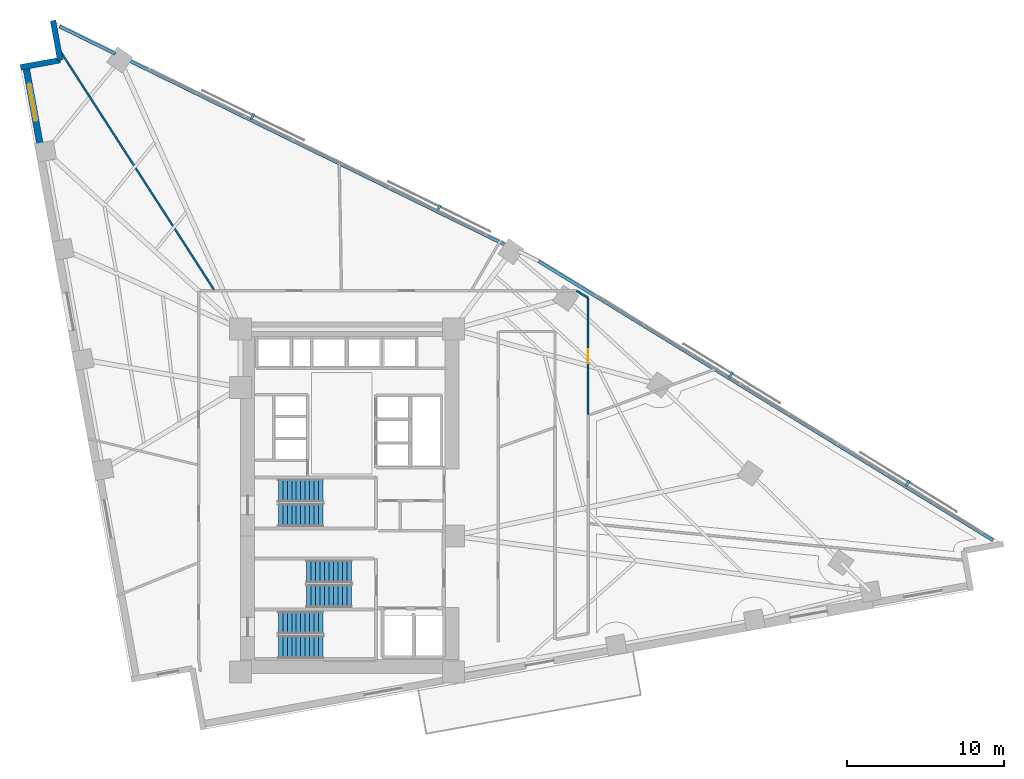
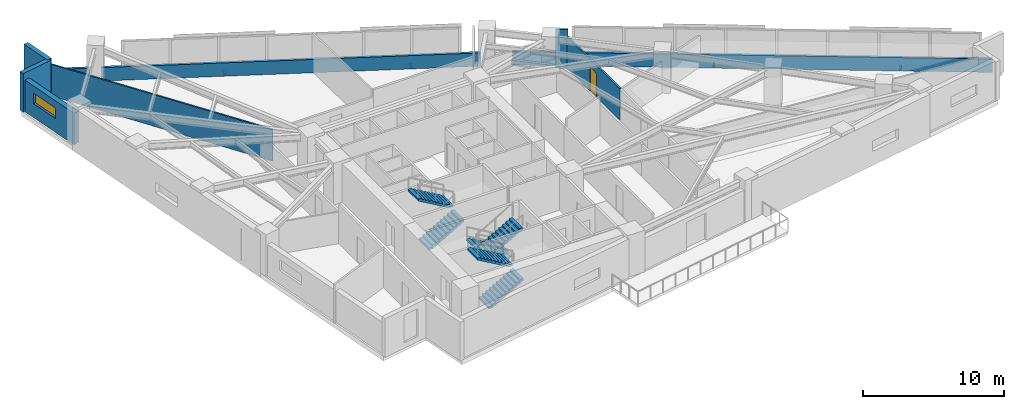
# One storey, part 16 of 18: 9 walls, 6 stair flights, 4 discrete accessories, 1 door, 1 window, 2 openings, 3 elements without a shape of their own.
"""IFC4 building model written with IfcOpenShell, lengths in metres."""

from ifc_helpers import new_model, si_unit, direction, frame, frame_2d, origin, origin_2d, place, context, subcontext, project, spatial, polyline, rectangle, outline, extrude, material, layer, layer_set, type_object, element, fill, aggregate, save


model = new_model("IFC4")

# Units and contexts
model_context = context("Model", 3, precision=1e-05, world=origin(), true_north=direction((0.0, 1.0)))
body_context = subcontext(model_context, "Body", "Model", "MODEL_VIEW")
ifc_project = project(units=[si_unit("LENGTHUNIT", "METRE"), si_unit("AREAUNIT", "SQUARE_METRE"), si_unit("VOLUMEUNIT", "CUBIC_METRE"), si_unit("PLANEANGLEUNIT", "RADIAN"), si_unit("MASSUNIT", "GRAM", prefix="KILO")], contexts=[model_context])

# Site, building, storey
site_placement = place(None, origin())
site = spatial("IfcSite", under=ifc_project, at=site_placement, CompositionType="ELEMENT")
building_placement = place(site_placement, origin())
building = spatial("IfcBuilding", under=site, at=building_placement, Name="Narakoshi Arena Tower", CompositionType="ELEMENT")
storey_placement = place(building_placement, frame((0.0, 0.0, 95.699951171875)))
storey = spatial("IfcBuildingStorey", under=building, at=storey_placement, Name="L25", CompositionType="ELEMENT", Elevation=95.699951171875)

# Walls
ifc_material_1 = material(Name="Precast concrete C45/55", Category="concrete")
ifc_layer_1 = layer(ifc_material_1, 0.25)
ifc_layer_set_1 = layer_set([ifc_layer_1], Name="Precast concrete C45/55")
wall_type_1 = type_object("IfcWallType", Name="WL-PARA-250", PredefinedType="PARAPET", material=ifc_layer_set_1)
wall_1_placement = place(storey_placement, frame((119.86474609375, 43.0703125, 0.0), z_axis=(0.0, 0.0, 1.0), x_axis=(-0.852110824326, 0.52336138859, 0.0)))
element("IfcWall", 1, at=wall_1_placement, inside=storey, type_object=wall_type_1, Name="L25 Hypotenuse Sill Upstand Parapet 1-01", PredefinedType="PARAPET", context=body_context, shape_type="SweptSolid", body=[
    extrude(rectangle(XDim=33.931640625, YDim=0.199951171875, at=frame_2d((16.9658203125, 0.0))), origin(), (0.0, 0.0, 1.0), 1.150146484375),
])
wall_2_placement = place(storey_placement, frame((88.9208984375, 61.82275390625, 0.0), z_axis=(0.0, 0.0, 1.0), x_axis=(-0.897993533426, 0.440008652103, 0.0)))
element("IfcWall", 2, at=wall_2_placement, inside=storey, type_object=wall_type_1, Name="L25 Hypotenuse Sill Upstand Parapet 2-02", PredefinedType="PARAPET", context=body_context, shape_type="SweptSolid", body=[
    extrude(rectangle(XDim=26.86376953125, YDim=0.199951171875, at=frame_2d((13.431884765625, 0.0))), origin(), (0.0, 0.0, 1.0), 1.150146484375),
])
wall_3_placement = place(storey_placement, frame((64.031982421875, 74.01806640625, 0.0), z_axis=(0.0, 0.0, 1.0), x_axis=(-0.89799103332, 0.440013754417, 0.0)))
element("IfcWall", 3, at=wall_3_placement, inside=storey, type_object=wall_type_1, Name="L25 Hypotenuse Sill Upstand Parapet 2-03", PredefinedType="PARAPET", context=body_context, shape_type="SweptSolid", body=[
    extrude(rectangle(XDim=3.954833984375, YDim=0.199951171875, at=frame_2d((1.9775390625, 0.0))), origin(), (0.0, 0.0, 1.0), 1.150146484375),
])
ifc_material_2 = material(Name="Gypsum plasterboard fire-rated partition")
ifc_layer_2 = layer(ifc_material_2, 0.125)
ifc_layer_set_2 = layer_set([ifc_layer_2], Name="Gypsum plasterboard fire-rated partition")
wall_type_2 = type_object("IfcWallType", Name="WL-PART-125", PredefinedType="PARTITIONING", material=ifc_layer_set_2)
wall_4_placement = place(storey_placement, frame((70.3203125, 58.992919921875, 0.0), z_axis=(0.0, 0.0, 1.0), x_axis=(-0.54165184829, 0.840602923647, 0.0)))
element("IfcWall", 4, at=wall_4_placement, inside=storey, type_object=wall_type_2, Name="L25 Inter-Room Partition 07-09", PredefinedType="PARTITIONING", context=body_context, shape_type="SweptSolid", body=[
    extrude(rectangle(XDim=18.359375, YDim=0.125, at=frame_2d((9.1796875, 0.0))), origin(), (0.0, 0.0, 1.0), 2.72509765625),
])

# Wall, opening, window
ifc_layer_3 = layer(ifc_material_1, 0.419921875)
ifc_layer_set_3 = layer_set([ifc_layer_3], Name="Precast concrete C45/55")
wall_type_3 = type_object("IfcWallType", Name="WL-POD-420", PredefinedType="SOLIDWALL", material=ifc_layer_set_3)
wall_5_placement = place(storey_placement, frame((58.341796875, 73.2197265625, 0.0), z_axis=(0.0, 0.0, 1.0), x_axis=(0.177981837245, -0.984033772597, 0.0)))
wall_5 = element("IfcWall", 5, at=wall_5_placement, inside=storey, type_object=wall_type_3, Name="L25 Architectural Concrete Facade Wall LEGB-1", PredefinedType="SOLIDWALL", context=body_context, shape_type="SweptSolid", body=[
    extrude(rectangle(XDim=5.540283203125, YDim=0.419921875, at=frame_2d((2.77001953125, 0.0))), origin(), (0.0, 0.0, 1.0), 2.72509765625),
])
opening_1_placement = place(wall_5_placement, frame((1.11767578125, 0.0, 1.199951171875)))
opening_1 = element("IfcOpeningElement", 6, at=opening_1_placement, cuts=wall_5, Name="Opening WN-01", PredefinedType="OPENING", context=body_context, shape_type="SweptSolid", body=[
    extrude(rectangle(XDim=2.39990234375, YDim=0.89990234375, at=frame_2d((1.199951171875, 0.449951171875))), frame((0.0, 0.219970703125, 0.0), z_axis=(0.0, -1.0, 0.0), x_axis=(1.0, 0.0, 0.0)), (0.0, 0.0, 1.0), 0.43994140625),
])
ifc_material_3 = material(Name="Bronze-tinted low-E laminated glass", Category="glass")
window_type = type_object("IfcWindowType", Name="WIN-SLT-24x09", PartitioningType="SINGLE_PANEL", PredefinedType="WINDOW", material=ifc_material_3)
window_placement = place(opening_1_placement, origin())
window = element("IfcWindow", 7, at=window_placement, inside=storey, type_object=window_type, Name="L25 LEGB1 Horizontal Slot Window 1", OverallHeight=0.89990234375, OverallWidth=2.39990234375, PartitioningType="SINGLE_PANEL", PredefinedType="WINDOW", context=body_context, shape_type="SweptSolid", body=[
    extrude(rectangle(XDim=2.39990234375, YDim=0.89990234375, at=frame_2d((1.199951171875, 0.449951171875))), frame((0.0, 0.030029296875, 0.0), z_axis=(0.0, -1.0, 0.0), x_axis=(1.0, 0.0, 0.0)), (0.0, 0.0, 1.0), 0.06005859375),
])
fill(opening_1, window)

# Walls
wall_6_placement = place(storey_placement, frame((60.066162109375, 76.139404296875, 0.0), z_axis=(0.0, 0.0, 1.0), x_axis=(0.177897493713, -0.984049024048, 0.0)))
element("IfcWall", 8, at=wall_6_placement, inside=storey, type_object=wall_type_3, Name="L25 Re-Entrant Corner Notch Wall NTN-1", PredefinedType="SOLIDWALL", context=body_context, shape_type="SweptSolid", body=[
    extrude(rectangle(XDim=2.56640625, YDim=0.360107421875, at=frame_2d((1.283203125, 0.0))), origin(), (0.0, 0.0, 1.0), 3.340087890625),
])
wall_7_placement = place(storey_placement, frame((60.522705078125, 73.614013671875, 0.0), z_axis=(0.0, 0.0, 1.0), x_axis=(-0.984046012923, -0.177914149102, 0.0)))
element("IfcWall", 9, at=wall_7_placement, inside=storey, type_object=wall_type_3, Name="L25 Re-Entrant Corner Notch Wall NTN-2", PredefinedType="SOLIDWALL", context=body_context, shape_type="SweptSolid", body=[
    extrude(rectangle(XDim=2.566162109375, YDim=0.360107421875, at=frame_2d((1.283203125, 0.0))), origin(), (0.0, 0.0, 1.0), 3.340087890625),
])

# Wall, opening, door
ifc_material_4 = material(Name="Moisture-resistant cement-board partition")
ifc_layer_4 = layer(ifc_material_4, 0.14501953125)
ifc_layer_set_4 = layer_set([ifc_layer_4], Name="Moisture-resistant cement-board partition")
wall_type_4 = type_object("IfcWallType", Name="WL-WET-145", PredefinedType="PARTITIONING", material=ifc_layer_set_4)
wall_8_placement = place(storey_placement, frame((94.10498046875, 51.069091796875, 0.0), z_axis=(0.0, 0.0, 1.0), x_axis=(0.0, 1.0, 0.0)))
wall_8 = element("IfcWall", 10, at=wall_8_placement, inside=storey, type_object=wall_type_4, Name="L25 Corridor Partition 06-1", PredefinedType="PARTITIONING", context=body_context, shape_type="SweptSolid", body=[
    extrude(rectangle(XDim=7.423583984375, YDim=0.14501953125, at=frame_2d((3.7119140625, 0.0))), origin(), (0.0, 0.0, 1.0), 2.72509765625),
])
opening_2_placement = place(wall_8_placement, frame((3.26171875, 0.0, 0.0)))
opening_2 = element("IfcOpeningElement", 11, at=opening_2_placement, cuts=wall_8, Name="Opening D-08", PredefinedType="OPENING", context=body_context, shape_type="SweptSolid", body=[
    extrude(rectangle(XDim=0.89990234375, YDim=2.10009765625, at=frame_2d((0.449951171875, 1.050048828125))), frame((0.0, 0.08251953125, 0.0), z_axis=(0.0, -1.0, 0.0), x_axis=(1.0, 0.0, 0.0)), (0.0, 0.0, 1.0), 0.1650390625),
])
ifc_material_5 = material(Name="Moisture-resistant laminate timber", Category="wood")
door_type = type_object("IfcDoorType", Name="DR-WC-900", OperationType="NOTDEFINED", PredefinedType="DOOR", material=ifc_material_5)
door_placement = place(opening_2_placement, frame((0.89990234375, 0.0, 0.0), z_axis=(0.0, 0.0, 1.0), x_axis=(-1.0, 0.0, 0.0)))
door = element("IfcDoor", 12, at=door_placement, inside=storey, type_object=door_type, Name="DR-L25-020", OperationType="SINGLE_SWING_LEFT", OverallHeight=2.10009765625, OverallWidth=0.89990234375, PredefinedType="DOOR", context=body_context, shape_type="SweptSolid", body=[
    extrude(rectangle(XDim=0.89990234375, YDim=2.10009765625, at=frame_2d((0.449951171875, 1.050048828125))), frame((0.0, 0.02490234375, 0.0), z_axis=(0.0, -1.0, 0.0), x_axis=(1.0, 0.0, 0.0)), (0.0, 0.0, 1.0), 0.050048828125),
])
fill(opening_2, door)

# Wall
wall_9_placement = place(storey_placement, frame((94.10498046875, 58.49267578125, 0.0), z_axis=(0.0, 0.0, 1.0), x_axis=(-0.851998403327, 0.523544382769, 0.0)))
element("IfcWall", 13, at=wall_9_placement, inside=storey, type_object=wall_type_4, Name="L25 Corridor Partition 06-3", PredefinedType="PARTITIONING", context=body_context, shape_type="SweptSolid", body=[
    extrude(rectangle(XDim=0.8623046875, YDim=0.14501953125, at=frame_2d((0.43115234375, 0.0))), origin(), (0.0, 0.0, 1.0), 3.340087890625),
])

# Stair, stair flights
ifc_material_6 = material(Name="Concrete C45/55", Category="concrete")
stair_type = type_object("IfcStairType", Name="STR-CORE-360", PredefinedType="TWO_STRAIGHT_RUN_STAIR", material=ifc_material_6)
stair_1_placement = place(storey_placement, origin())
stair_1 = element("IfcStair", 14, at=stair_1_placement, inside=storey, type_object=stair_type, Name="L25 Core Escape Stair ST1", PredefinedType="TWO_STRAIGHT_RUN_STAIR")
stair_flight_type = type_object("IfcStairFlightType", Name="FLT-145-160", PredefinedType="STRAIGHT", material=ifc_material_1)
stair_flight_1_placement = place(storey_placement, frame((74.39990234375, 36.27490234375, 0.0), z_axis=(0.0, 0.0, 1.0), x_axis=(1.0, 0.0, 0.0)))
stair_flight_1 = element("IfcStairFlight", 15, at=stair_flight_1_placement, type_object=stair_flight_type, Name="ST1 flight 1", NumberOfRisers=11, NumberOfTreads=10, PredefinedType="STRAIGHT", RiserHeight=0.163636364, TreadLength=0.285, context=body_context, shape_type="SweptSolid", body=[
    extrude(outline(polyline([(0.0, 0.0), (0.0, 0.16357421875), (0.284912109375, 0.16357421875), (0.284912109375, 0.327392578125), (0.570068359375, 0.327392578125), (0.570068359375, 0.490966796875), (0.85498046875, 0.490966796875), (0.85498046875, 0.654541015625), (1.139892578125, 0.654541015625), (1.139892578125, 0.818115234375), (1.425048828125, 0.818115234375), (1.425048828125, 0.98193359375), (1.7099609375, 0.98193359375), (1.7099609375, 1.1455078125), (1.9951171875, 1.1455078125), (1.9951171875, 1.30908203125), (2.280029296875, 1.30908203125), (2.280029296875, 1.47265625), (2.56494140625, 1.47265625), (2.56494140625, 1.636474609375), (2.85009765625, 1.636474609375), (2.85009765625, 1.800048828125), (2.85009765625, 1.463623046875), (0.301025390625, 0.0), (0.0, 0.0)])), frame((0.0, 0.72509765625, 0.0), z_axis=(0.0, -1.0, 0.0), x_axis=(1.0, 0.0, 0.0)), (0.0, 0.0, 1.0), 1.449951171875),
])
stair_flight_2_placement = place(storey_placement, frame((77.25, 37.824951171875, 1.800048828125), z_axis=(0.0, 0.0, 1.0), x_axis=(-1.0, 0.0, 0.0)))
stair_flight_2 = element("IfcStairFlight", 16, at=stair_flight_2_placement, type_object=stair_flight_type, Name="ST1 flight 2", NumberOfRisers=11, NumberOfTreads=10, PredefinedType="STRAIGHT", RiserHeight=0.163636364, TreadLength=0.285, context=body_context, shape_type="SweptSolid", body=[
    extrude(outline(polyline([(0.0, 0.0), (0.0, 0.16357421875), (0.284912109375, 0.16357421875), (0.284912109375, 0.327392578125), (0.570068359375, 0.327392578125), (0.570068359375, 0.490966796875), (0.85498046875, 0.490966796875), (0.85498046875, 0.654541015625), (1.139892578125, 0.654541015625), (1.139892578125, 0.818115234375), (1.425048828125, 0.818115234375), (1.425048828125, 0.98193359375), (1.7099609375, 0.98193359375), (1.7099609375, 1.1455078125), (1.9951171875, 1.1455078125), (1.9951171875, 1.30908203125), (2.280029296875, 1.30908203125), (2.280029296875, 1.47265625), (2.56494140625, 1.47265625), (2.56494140625, 1.636474609375), (2.85009765625, 1.636474609375), (2.85009765625, 1.800048828125), (2.85009765625, 1.463623046875), (0.301025390625, 0.0), (0.0, 0.0)])), frame((0.0, 0.72509765625, 0.0), z_axis=(0.0, -1.0, 0.0), x_axis=(1.0, 0.0, 0.0)), (0.0, 0.0, 1.0), 1.449951171875),
])
aggregate(stair_1, [stair_flight_1, stair_flight_2])

stair_2_placement = place(storey_placement, origin())
stair_2 = element("IfcStair", 17, at=stair_2_placement, inside=storey, type_object=stair_type, Name="L25 Core Escape Stair ST2", PredefinedType="TWO_STRAIGHT_RUN_STAIR")
stair_flight_3_placement = place(storey_placement, frame((79.050048828125, 41.074951171875, 0.0), z_axis=(0.0, 0.0, 1.0), x_axis=(-1.0, 0.0, 0.0)))
stair_flight_3 = element("IfcStairFlight", 18, at=stair_flight_3_placement, type_object=stair_flight_type, Name="ST2 flight 1", NumberOfRisers=11, NumberOfTreads=10, PredefinedType="STRAIGHT", RiserHeight=0.163636364, TreadLength=0.285, context=body_context, shape_type="SweptSolid", body=[
    extrude(outline(polyline([(0.0, 0.0), (0.0, 0.16357421875), (0.284912109375, 0.16357421875), (0.284912109375, 0.327392578125), (0.570068359375, 0.327392578125), (0.570068359375, 0.490966796875), (0.85498046875, 0.490966796875), (0.85498046875, 0.654541015625), (1.139892578125, 0.654541015625), (1.139892578125, 0.818115234375), (1.425048828125, 0.818115234375), (1.425048828125, 0.98193359375), (1.7099609375, 0.98193359375), (1.7099609375, 1.1455078125), (1.9951171875, 1.1455078125), (1.9951171875, 1.30908203125), (2.280029296875, 1.30908203125), (2.280029296875, 1.47265625), (2.56494140625, 1.47265625), (2.56494140625, 1.636474609375), (2.85009765625, 1.636474609375), (2.85009765625, 1.800048828125), (2.85009765625, 1.463623046875), (0.301025390625, 0.0), (0.0, 0.0)])), frame((0.0, 0.72509765625, 0.0), z_axis=(0.0, -1.0, 0.0), x_axis=(1.0, 0.0, 0.0)), (0.0, 0.0, 1.0), 1.449951171875),
])
stair_flight_4_placement = place(storey_placement, frame((76.199951171875, 39.52490234375, 1.800048828125), z_axis=(0.0, 0.0, 1.0), x_axis=(1.0, 0.0, 0.0)))
stair_flight_4 = element("IfcStairFlight", 19, at=stair_flight_4_placement, type_object=stair_flight_type, Name="ST2 flight 2", NumberOfRisers=11, NumberOfTreads=10, PredefinedType="STRAIGHT", RiserHeight=0.163636364, TreadLength=0.285, context=body_context, shape_type="SweptSolid", body=[
    extrude(outline(polyline([(0.0, 0.0), (0.0, 0.16357421875), (0.284912109375, 0.16357421875), (0.284912109375, 0.327392578125), (0.570068359375, 0.327392578125), (0.570068359375, 0.490966796875), (0.85498046875, 0.490966796875), (0.85498046875, 0.654541015625), (1.139892578125, 0.654541015625), (1.139892578125, 0.818115234375), (1.425048828125, 0.818115234375), (1.425048828125, 0.98193359375), (1.7099609375, 0.98193359375), (1.7099609375, 1.1455078125), (1.9951171875, 1.1455078125), (1.9951171875, 1.30908203125), (2.280029296875, 1.30908203125), (2.280029296875, 1.47265625), (2.56494140625, 1.47265625), (2.56494140625, 1.636474609375), (2.85009765625, 1.636474609375), (2.85009765625, 1.800048828125), (2.85009765625, 1.463623046875), (0.301025390625, 0.0), (0.0, 0.0)])), frame((0.0, 0.72509765625, 0.0), z_axis=(0.0, -1.0, 0.0), x_axis=(1.0, 0.0, 0.0)), (0.0, 0.0, 1.0), 1.449951171875),
])
aggregate(stair_2, [stair_flight_3, stair_flight_4])

stair_3_placement = place(storey_placement, origin())
stair_3 = element("IfcStair", 20, at=stair_3_placement, inside=storey, type_object=stair_type, Name="L25 Core Escape Stair ST3", PredefinedType="TWO_STRAIGHT_RUN_STAIR")
stair_flight_5_placement = place(storey_placement, frame((74.39990234375, 44.675048828125, 0.0), z_axis=(0.0, 0.0, 1.0), x_axis=(1.0, 0.0, 0.0)))
stair_flight_5 = element("IfcStairFlight", 21, at=stair_flight_5_placement, type_object=stair_flight_type, Name="ST3 flight 1", NumberOfRisers=11, NumberOfTreads=10, PredefinedType="STRAIGHT", RiserHeight=0.163636364, TreadLength=0.285, context=body_context, shape_type="SweptSolid", body=[
    extrude(outline(polyline([(0.0, 0.0), (0.0, 0.16357421875), (0.284912109375, 0.16357421875), (0.284912109375, 0.327392578125), (0.570068359375, 0.327392578125), (0.570068359375, 0.490966796875), (0.85498046875, 0.490966796875), (0.85498046875, 0.654541015625), (1.139892578125, 0.654541015625), (1.139892578125, 0.818115234375), (1.425048828125, 0.818115234375), (1.425048828125, 0.98193359375), (1.7099609375, 0.98193359375), (1.7099609375, 1.1455078125), (1.9951171875, 1.1455078125), (1.9951171875, 1.30908203125), (2.280029296875, 1.30908203125), (2.280029296875, 1.47265625), (2.56494140625, 1.47265625), (2.56494140625, 1.636474609375), (2.85009765625, 1.636474609375), (2.85009765625, 1.800048828125), (2.85009765625, 1.463623046875), (0.301025390625, 0.0), (0.0, 0.0)])), frame((0.0, 0.72509765625, 0.0), z_axis=(0.0, -1.0, 0.0), x_axis=(1.0, 0.0, 0.0)), (0.0, 0.0, 1.0), 1.449951171875),
])
stair_flight_6_placement = place(storey_placement, frame((77.25, 46.22509765625, 1.800048828125), z_axis=(0.0, 0.0, 1.0), x_axis=(-1.0, 0.0, 0.0)))
stair_flight_6 = element("IfcStairFlight", 22, at=stair_flight_6_placement, type_object=stair_flight_type, Name="ST3 flight 2", NumberOfRisers=11, NumberOfTreads=10, PredefinedType="STRAIGHT", RiserHeight=0.163636364, TreadLength=0.285, context=body_context, shape_type="SweptSolid", body=[
    extrude(outline(polyline([(0.0, 0.0), (0.0, 0.16357421875), (0.284912109375, 0.16357421875), (0.284912109375, 0.327392578125), (0.570068359375, 0.327392578125), (0.570068359375, 0.490966796875), (0.85498046875, 0.490966796875), (0.85498046875, 0.654541015625), (1.139892578125, 0.654541015625), (1.139892578125, 0.818115234375), (1.425048828125, 0.818115234375), (1.425048828125, 0.98193359375), (1.7099609375, 0.98193359375), (1.7099609375, 1.1455078125), (1.9951171875, 1.1455078125), (1.9951171875, 1.30908203125), (2.280029296875, 1.30908203125), (2.280029296875, 1.47265625), (2.56494140625, 1.47265625), (2.56494140625, 1.636474609375), (2.85009765625, 1.636474609375), (2.85009765625, 1.800048828125), (2.85009765625, 1.463623046875), (0.301025390625, 0.0), (0.0, 0.0)])), frame((0.0, 0.72509765625, 0.0), z_axis=(0.0, -1.0, 0.0), x_axis=(1.0, 0.0, 0.0)), (0.0, 0.0, 1.0), 1.449951171875),
])
aggregate(stair_3, [stair_flight_5, stair_flight_6])

# Discrete accessories
ifc_material_7 = material(Name="Structural steel S355J2", Category="steel")
discrete_accessory_type = type_object("IfcDiscreteAccessoryType", Name="ACC-BRK-SCR", PredefinedType="BRACKET", material=ifc_material_7)
for number, where, z_axis, x_axis, name in (
    (23, (114.442138671875, 46.6826171875, -0.080078125), (0.0, 0.0, 1.0), (-0.852110807003, 0.523361416794, 0.0), "L25 Solar Screen Support Bracket SHD-L25-SCR1-1"),
    (24, (103.1943359375, 53.5908203125, -0.080078125), (0.0, 0.0, 1.0), (-0.852110807003, 0.523361416794, 0.0), "L25 Solar Screen Support Bracket SHD-L25-SCR1-2"),
    (25, (84.6044921875, 64.205078125, -0.080078125), (0.0, 0.0, 1.0), (-0.897996860024, 0.440001862936, 0.0), "L25 Solar Screen Support Bracket SHD-L25-SCR2-1"),
    (26, (72.7509765625, 70.01318359375, -0.080078125), (0.0, 0.0, 1.0), (-0.897996860024, 0.440001862936, 0.0), "L25 Solar Screen Support Bracket SHD-L25-SCR2-2"),
):
    element("IfcDiscreteAccessory", number, at=place(storey_placement, frame(where, z_axis=z_axis, x_axis=x_axis)), inside=storey, type_object=discrete_accessory_type, Name=name, PredefinedType="BRACKET", context=body_context, shape_type="SweptSolid", body=[
        extrude(rectangle(XDim=0.159912109375, YDim=0.425048828125, at=origin_2d()), origin(), (0.0, 0.0, 1.0), 0.199951171875),
    ])

save(model, "model.ifc")
